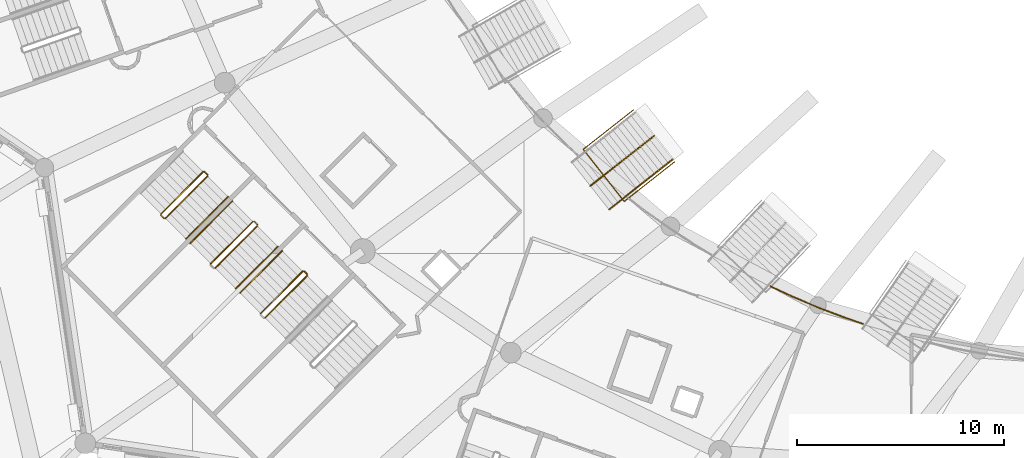
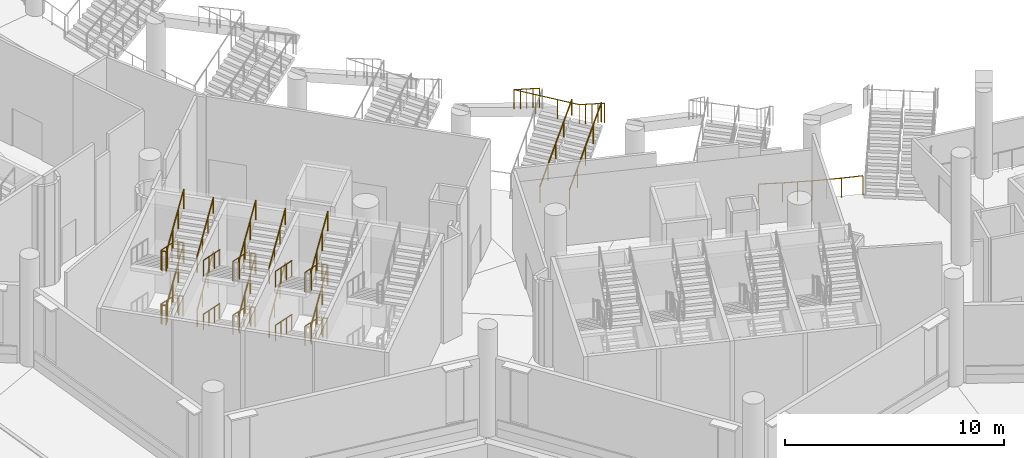
# One storey, part 113 of 173: 32 railings.
"""IFC4 building model written with IfcOpenShell, lengths in metres."""

from ifc_helpers import new_model, si_unit, direction, frame, origin, origin_2d, place, context, subcontext, project, spatial, circle, extrude, material, type_object, element, save


model = new_model("IFC4")

# Units and contexts
model_context = context("Model", 3, precision=1e-05, world=origin(), true_north=direction((0.0, 1.0)))
body_context = subcontext(model_context, "Body", "Model", "MODEL_VIEW")
ifc_project = project(units=[si_unit("LENGTHUNIT", "METRE"), si_unit("AREAUNIT", "SQUARE_METRE"), si_unit("VOLUMEUNIT", "CUBIC_METRE"), si_unit("PLANEANGLEUNIT", "RADIAN"), si_unit("MASSUNIT", "GRAM", prefix="KILO")], contexts=[model_context])

# Site, building, storey
site_placement = place(None, origin())
site = spatial("IfcSite", under=ifc_project, at=site_placement, CompositionType="ELEMENT")
building_placement = place(site_placement, origin())
building = spatial("IfcBuilding", under=site, at=building_placement, Name="Meseta Stadium", CompositionType="ELEMENT")
storey_placement = place(building_placement, frame((0.0, 0.0, 18.0)))
storey = spatial("IfcBuildingStorey", under=building, at=storey_placement, Name="L03", CompositionType="ELEMENT", Elevation=18.0)

# Railings
ifc_material_1 = material(Name="Steel S355", Category="steel")
railing_type_1 = type_object("IfcRailingType", Name="Plate edge guard 1100", PredefinedType="GUARDRAIL", material=ifc_material_1)
railing_1_placement = place(storey_placement, frame((-52.083251953125, -81.591796875, 0.0)))
element("IfcRailing", 1, at=railing_1_placement, inside=storey, type_object=railing_type_1, Name="L03 inner edge guard 43", PredefinedType="GUARDRAIL", context=body_context, shape_type="SweptSolid", body=[
    extrude(circle(Radius=0.02490234375, at=origin_2d()), frame((0.0, 0.0, 1.0751953125), z_axis=(0.906110366799, -0.423041372894, 0.0), x_axis=(0.423041372894, 0.906110366799, 0.0)), (0.0, 0.0, 1.0), 1.114501953125),
    extrude(circle(Radius=0.02490234375, at=origin_2d()), frame((1.009765625, -0.471435546875, 1.0751953125), z_axis=(0.920530635071, -0.390670385231, 0.0), x_axis=(0.390670385231, 0.920530635071, 0.0)), (0.0, 0.0, 1.0), 1.352294921875),
    extrude(circle(Radius=0.02490234375, at=origin_2d()), frame((2.254638671875, -0.999755859375, 1.0751953125), z_axis=(0.933888814038, -0.357563537033, 0.0), x_axis=(0.357563537033, 0.933888814038, 0.0)), (0.0, 0.0, 1.0), 1.3525390625),
    extrude(circle(Radius=0.02490234375, at=origin_2d()), frame((3.517822265625, -1.4833984375, 1.0751953125), z_axis=(0.945948078572, -0.324318104099, 0.0), x_axis=(0.324318104099, 0.945948078572, 0.0)), (0.0, 0.0, 1.0), 1.00341796875),
    extrude(circle(Radius=0.02001953125, at=origin_2d()), origin(), (0.0, 0.0, 1.0), 1.050048828125),
    extrude(circle(Radius=0.02001953125, at=origin_2d()), frame((1.009765625, -0.471435546875, 0.0)), (0.0, 0.0, 1.0), 1.050048828125),
    extrude(circle(Radius=0.02001953125, at=origin_2d()), frame((1.63232421875, -0.735595703125, 0.0)), (0.0, 0.0, 1.0), 1.050048828125),
    extrude(circle(Radius=0.02001953125, at=origin_2d()), frame((2.254638671875, -0.999755859375, 0.0)), (0.0, 0.0, 1.0), 1.050048828125),
    extrude(circle(Radius=0.02001953125, at=origin_2d()), frame((2.88623046875, -1.24169921875, 0.0)), (0.0, 0.0, 1.0), 1.050048828125),
    extrude(circle(Radius=0.02001953125, at=origin_2d()), frame((3.517822265625, -1.4833984375, 0.0)), (0.0, 0.0, 1.0), 1.050048828125),
    extrude(circle(Radius=0.02001953125, at=origin_2d()), frame((4.467041015625, -1.808837890625, 0.0)), (0.0, 0.0, 1.0), 1.050048828125),
])
ifc_material_2 = material(Name="Steel S355", Category="steel")
railing_type_2 = type_object("IfcRailingType", Name="Stair guard 1100", PredefinedType="GUARDRAIL", material=ifc_material_2)
railing_2_placement = place(storey_placement, frame((-79.4814453125, -76.056884765625, 0.14990234375)))
element("IfcRailing", 2, at=railing_2_placement, inside=storey, type_object=railing_type_2, Name="ST81 L03 guard 1", PredefinedType="GUARDRAIL", context=body_context, shape_type="SweptSolid", body=[
    extrude(circle(Radius=0.02392578125, at=origin_2d()), frame((0.0, 0.0, 1.076171875), z_axis=(-0.640287970486, -0.640211215754, 0.424453665402), x_axis=(0.707064395047, -0.707149164786, 0.0)), (0.0, 0.0, 1.0), 3.180908203125),
    extrude(circle(Radius=0.02099609375, at=origin_2d()), origin(), (0.0, 0.0, 1.0), 1.052001953125),
    extrude(circle(Radius=0.02099609375, at=origin_2d()), frame((-0.678955078125, -0.6787109375, 0.449951171875)), (0.0, 0.0, 1.0), 1.052001953125),
    extrude(circle(Radius=0.02099609375, at=origin_2d()), frame((-1.357666015625, -1.357666015625, 0.900146484375)), (0.0, 0.0, 1.0), 1.052001953125),
    extrude(circle(Radius=0.02099609375, at=origin_2d()), frame((-2.03662109375, -2.036376953125, 1.35009765625)), (0.0, 0.0, 1.0), 1.052001953125),
])
railing_3_placement = place(storey_placement, frame((-81.51806640625, -78.1640625, 1.5)))
element("IfcRailing", 3, at=railing_3_placement, inside=storey, type_object=railing_type_2, Name="ST81 L03 guard 2", PredefinedType="GUARDRAIL", context=body_context, shape_type="SweptSolid", body=[
    extrude(circle(Radius=0.02392578125, at=origin_2d()), frame((0.0, 0.0, 1.076171875), z_axis=(0.707716618519, -0.706496417452, 0.0), x_axis=(0.706496417452, 0.707716618519, 0.0)), (0.0, 0.0, 1.0), 0.2001953125),
    extrude(circle(Radius=0.02099609375, at=origin_2d()), origin(), (0.0, 0.0, 1.0), 1.052001953125),
    extrude(circle(Radius=0.02099609375, at=origin_2d()), frame((0.1416015625, -0.141357421875, 0.0)), (0.0, 0.0, 1.0), 1.052001953125),
])
railing_4_placement = place(storey_placement, frame((-81.305908203125, -78.305419921875, 1.64990234375)))
element("IfcRailing", 4, at=railing_4_placement, inside=storey, type_object=railing_type_2, Name="ST81 L03 guard 3", PredefinedType="GUARDRAIL", context=body_context, shape_type="SweptSolid", body=[
    extrude(circle(Radius=0.02392578125, at=origin_2d()), frame((0.0, 0.0, 1.076171875), z_axis=(0.640287970486, 0.640211215754, 0.424453665402), x_axis=(-0.707064395047, 0.707149164786, 0.0)), (0.0, 0.0, 1.0), 3.180908203125),
    extrude(circle(Radius=0.02099609375, at=origin_2d()), origin(), (0.0, 0.0, 1.0), 1.052001953125),
    extrude(circle(Radius=0.02099609375, at=origin_2d()), frame((0.678955078125, 0.6787109375, 0.449951171875)), (0.0, 0.0, 1.0), 1.052001953125),
    extrude(circle(Radius=0.02099609375, at=origin_2d()), frame((1.357666015625, 1.357666015625, 0.900146484375)), (0.0, 0.0, 1.0), 1.052001953125),
    extrude(circle(Radius=0.02099609375, at=origin_2d()), frame((2.03662109375, 2.036376953125, 1.35009765625)), (0.0, 0.0, 1.0), 1.052001953125),
])
railing_5_placement = place(storey_placement, frame((-79.410888671875, -76.056884765625, 3.0)))
element("IfcRailing", 5, at=railing_5_placement, inside=storey, type_object=railing_type_2, Name="ST81 L03 guard 4", PredefinedType="GUARDRAIL", context=body_context, shape_type="SweptSolid", body=[
    extrude(circle(Radius=0.02392578125, at=origin_2d()), frame((0.0, 0.0, 1.076171875), z_axis=(0.707716618519, -0.706496417452, 0.0), x_axis=(0.706496417452, 0.707716618519, 0.0)), (0.0, 0.0, 1.0), 0.2001953125),
    extrude(circle(Radius=0.02099609375, at=origin_2d()), origin(), (0.0, 0.0, 1.0), 1.052001953125),
    extrude(circle(Radius=0.02099609375, at=origin_2d()), frame((0.1416015625, -0.141357421875, 0.0)), (0.0, 0.0, 1.0), 1.052001953125),
])
railing_6_placement = place(storey_placement, frame((-79.4814453125, -76.056884765625, 3.14990234375)))
element("IfcRailing", 6, at=railing_6_placement, inside=storey, type_object=railing_type_2, Name="ST81 L03 guard 5", PredefinedType="GUARDRAIL", context=body_context, shape_type="SweptSolid", body=[
    extrude(circle(Radius=0.02392578125, at=origin_2d()), frame((0.0, 0.0, 1.076171875), z_axis=(-0.640287970486, -0.640211215754, 0.424453665402), x_axis=(0.707064395047, -0.707149164786, 0.0)), (0.0, 0.0, 1.0), 3.180908203125),
    extrude(circle(Radius=0.02099609375, at=origin_2d()), origin(), (0.0, 0.0, 1.0), 1.052001953125),
    extrude(circle(Radius=0.02099609375, at=origin_2d()), frame((-0.678955078125, -0.6787109375, 0.449951171875)), (0.0, 0.0, 1.0), 1.052001953125),
    extrude(circle(Radius=0.02099609375, at=origin_2d()), frame((-1.357666015625, -1.357666015625, 0.900146484375)), (0.0, 0.0, 1.0), 1.052001953125),
    extrude(circle(Radius=0.02099609375, at=origin_2d()), frame((-2.03662109375, -2.036376953125, 1.35009765625)), (0.0, 0.0, 1.0), 1.052001953125),
])
railing_7_placement = place(storey_placement, frame((-81.51806640625, -78.1640625, 4.5)))
element("IfcRailing", 7, at=railing_7_placement, inside=storey, type_object=railing_type_2, Name="ST81 L03 guard 6", PredefinedType="GUARDRAIL", context=body_context, shape_type="SweptSolid", body=[
    extrude(circle(Radius=0.02392578125, at=origin_2d()), frame((0.0, 0.0, 1.076171875), z_axis=(0.707716618519, -0.706496417452, 0.0), x_axis=(0.706496417452, 0.707716618519, 0.0)), (0.0, 0.0, 1.0), 0.2001953125),
    extrude(circle(Radius=0.02099609375, at=origin_2d()), origin(), (0.0, 0.0, 1.0), 1.052001953125),
    extrude(circle(Radius=0.02099609375, at=origin_2d()), frame((0.1416015625, -0.141357421875, 0.0)), (0.0, 0.0, 1.0), 1.052001953125),
])
railing_8_placement = place(storey_placement, frame((-81.305908203125, -78.305419921875, 4.64990234375)))
element("IfcRailing", 8, at=railing_8_placement, inside=storey, type_object=railing_type_2, Name="ST81 L03 guard 7", PredefinedType="GUARDRAIL", context=body_context, shape_type="SweptSolid", body=[
    extrude(circle(Radius=0.02392578125, at=origin_2d()), frame((0.0, 0.0, 1.076171875), z_axis=(0.640287970486, 0.640211215754, 0.424453665402), x_axis=(-0.707064395047, 0.707149164786, 0.0)), (0.0, 0.0, 1.0), 3.180908203125),
    extrude(circle(Radius=0.02099609375, at=origin_2d()), origin(), (0.0, 0.0, 1.0), 1.052001953125),
    extrude(circle(Radius=0.02099609375, at=origin_2d()), frame((0.678955078125, 0.6787109375, 0.449951171875)), (0.0, 0.0, 1.0), 1.052001953125),
    extrude(circle(Radius=0.02099609375, at=origin_2d()), frame((1.357666015625, 1.357666015625, 0.900146484375)), (0.0, 0.0, 1.0), 1.052001953125),
    extrude(circle(Radius=0.02099609375, at=origin_2d()), frame((2.03662109375, 2.036376953125, 1.35009765625)), (0.0, 0.0, 1.0), 1.052001953125),
])
railing_9_placement = place(storey_placement, frame((-79.410888671875, -76.056884765625, 0.0)))
element("IfcRailing", 9, at=railing_9_placement, inside=storey, type_object=railing_type_2, Name="ST81 L03 guard 8", PredefinedType="GUARDRAIL", context=body_context, shape_type="SweptSolid", body=[
    extrude(circle(Radius=0.02392578125, at=origin_2d()), frame((0.0, 0.0, 1.076171875), z_axis=(0.707716618519, -0.706496417452, 0.0), x_axis=(0.706496417452, 0.707716618519, 0.0)), (0.0, 0.0, 1.0), 0.2001953125),
    extrude(circle(Radius=0.02099609375, at=origin_2d()), origin(), (0.0, 0.0, 1.0), 1.052001953125),
    extrude(circle(Radius=0.02099609375, at=origin_2d()), frame((0.1416015625, -0.141357421875, 0.0)), (0.0, 0.0, 1.0), 1.052001953125),
])
railing_10_placement = place(storey_placement, frame((-77.077392578125, -78.4609375, 0.14990234375)))
element("IfcRailing", 10, at=railing_10_placement, inside=storey, type_object=railing_type_2, Name="ST82 L03 guard 1", PredefinedType="GUARDRAIL", context=body_context, shape_type="SweptSolid", body=[
    extrude(circle(Radius=0.02392578125, at=origin_2d()), frame((0.0, 0.0, 1.076171875), z_axis=(-0.640211215754, -0.640287970486, 0.424453665402), x_axis=(0.707149164786, -0.707064395047, 0.0)), (0.0, 0.0, 1.0), 3.180908203125),
    extrude(circle(Radius=0.02099609375, at=origin_2d()), origin(), (0.0, 0.0, 1.0), 1.052001953125),
    extrude(circle(Radius=0.02099609375, at=origin_2d()), frame((-0.6787109375, -0.678955078125, 0.449951171875)), (0.0, 0.0, 1.0), 1.052001953125),
    extrude(circle(Radius=0.02099609375, at=origin_2d()), frame((-1.357666015625, -1.357666015625, 0.900146484375)), (0.0, 0.0, 1.0), 1.052001953125),
    extrude(circle(Radius=0.02099609375, at=origin_2d()), frame((-2.036376953125, -2.03662109375, 1.35009765625)), (0.0, 0.0, 1.0), 1.052001953125),
])
railing_11_placement = place(storey_placement, frame((-78.901611328125, -80.709716796875, 1.64990234375)))
element("IfcRailing", 11, at=railing_11_placement, inside=storey, type_object=railing_type_2, Name="ST82 L03 guard 3", PredefinedType="GUARDRAIL", context=body_context, shape_type="SweptSolid", body=[
    extrude(circle(Radius=0.02392578125, at=origin_2d()), frame((0.0, 0.0, 1.076171875), z_axis=(0.640211215754, 0.640287970486, 0.424453665402), x_axis=(-0.707149164786, 0.707064395047, 0.0)), (0.0, 0.0, 1.0), 3.180908203125),
    extrude(circle(Radius=0.02099609375, at=origin_2d()), origin(), (0.0, 0.0, 1.0), 1.052001953125),
    extrude(circle(Radius=0.02099609375, at=origin_2d()), frame((0.6787109375, 0.678955078125, 0.449951171875)), (0.0, 0.0, 1.0), 1.052001953125),
    extrude(circle(Radius=0.02099609375, at=origin_2d()), frame((1.357666015625, 1.357666015625, 0.900146484375)), (0.0, 0.0, 1.0), 1.052001953125),
    extrude(circle(Radius=0.02099609375, at=origin_2d()), frame((2.036376953125, 2.03662109375, 1.35009765625)), (0.0, 0.0, 1.0), 1.052001953125),
])
railing_12_placement = place(storey_placement, frame((-77.006591796875, -78.4609375, 3.0)))
element("IfcRailing", 12, at=railing_12_placement, inside=storey, type_object=railing_type_2, Name="ST82 L03 guard 4", PredefinedType="GUARDRAIL", context=body_context, shape_type="SweptSolid", body=[
    extrude(circle(Radius=0.02392578125, at=origin_2d()), frame((0.0, 0.0, 1.076171875), z_axis=(0.706496417452, -0.707716618519, 0.0), x_axis=(0.707716618519, 0.706496417452, 0.0)), (0.0, 0.0, 1.0), 0.2001953125),
    extrude(circle(Radius=0.02099609375, at=origin_2d()), origin(), (0.0, 0.0, 1.0), 1.052001953125),
    extrude(circle(Radius=0.02099609375, at=origin_2d()), frame((0.141357421875, -0.1416015625, 0.0)), (0.0, 0.0, 1.0), 1.052001953125),
])
railing_13_placement = place(storey_placement, frame((-77.077392578125, -78.4609375, 3.14990234375)))
element("IfcRailing", 13, at=railing_13_placement, inside=storey, type_object=railing_type_2, Name="ST82 L03 guard 5", PredefinedType="GUARDRAIL", context=body_context, shape_type="SweptSolid", body=[
    extrude(circle(Radius=0.02392578125, at=origin_2d()), frame((0.0, 0.0, 1.076171875), z_axis=(-0.640211215754, -0.640287970486, 0.424453665402), x_axis=(0.707149164786, -0.707064395047, 0.0)), (0.0, 0.0, 1.0), 3.180908203125),
    extrude(circle(Radius=0.02099609375, at=origin_2d()), origin(), (0.0, 0.0, 1.0), 1.052001953125),
    extrude(circle(Radius=0.02099609375, at=origin_2d()), frame((-0.6787109375, -0.678955078125, 0.449951171875)), (0.0, 0.0, 1.0), 1.052001953125),
    extrude(circle(Radius=0.02099609375, at=origin_2d()), frame((-1.357666015625, -1.357666015625, 0.900146484375)), (0.0, 0.0, 1.0), 1.052001953125),
    extrude(circle(Radius=0.02099609375, at=origin_2d()), frame((-2.036376953125, -2.03662109375, 1.35009765625)), (0.0, 0.0, 1.0), 1.052001953125),
])
railing_14_placement = place(storey_placement, frame((-78.901611328125, -80.709716796875, 4.64990234375)))
element("IfcRailing", 14, at=railing_14_placement, inside=storey, type_object=railing_type_2, Name="ST82 L03 guard 7", PredefinedType="GUARDRAIL", context=body_context, shape_type="SweptSolid", body=[
    extrude(circle(Radius=0.02392578125, at=origin_2d()), frame((0.0, 0.0, 1.076171875), z_axis=(0.640211215754, 0.640287970486, 0.424453665402), x_axis=(-0.707149164786, 0.707064395047, 0.0)), (0.0, 0.0, 1.0), 3.180908203125),
    extrude(circle(Radius=0.02099609375, at=origin_2d()), origin(), (0.0, 0.0, 1.0), 1.052001953125),
    extrude(circle(Radius=0.02099609375, at=origin_2d()), frame((0.6787109375, 0.678955078125, 0.449951171875)), (0.0, 0.0, 1.0), 1.052001953125),
    extrude(circle(Radius=0.02099609375, at=origin_2d()), frame((1.357666015625, 1.357666015625, 0.900146484375)), (0.0, 0.0, 1.0), 1.052001953125),
    extrude(circle(Radius=0.02099609375, at=origin_2d()), frame((2.036376953125, 2.03662109375, 1.35009765625)), (0.0, 0.0, 1.0), 1.052001953125),
])
railing_15_placement = place(storey_placement, frame((-77.006591796875, -78.4609375, 0.0)))
element("IfcRailing", 15, at=railing_15_placement, inside=storey, type_object=railing_type_2, Name="ST82 L03 guard 8", PredefinedType="GUARDRAIL", context=body_context, shape_type="SweptSolid", body=[
    extrude(circle(Radius=0.02392578125, at=origin_2d()), frame((0.0, 0.0, 1.076171875), z_axis=(0.706496417452, -0.707716618519, 0.0), x_axis=(0.707716618519, 0.706496417452, 0.0)), (0.0, 0.0, 1.0), 0.2001953125),
    extrude(circle(Radius=0.02099609375, at=origin_2d()), origin(), (0.0, 0.0, 1.0), 1.052001953125),
    extrude(circle(Radius=0.02099609375, at=origin_2d()), frame((0.141357421875, -0.1416015625, 0.0)), (0.0, 0.0, 1.0), 1.052001953125),
])
railing_16_placement = place(storey_placement, frame((-74.673095703125, -80.865234375, 0.14990234375)))
element("IfcRailing", 16, at=railing_16_placement, inside=storey, type_object=railing_type_2, Name="ST83 L03 guard 1", PredefinedType="GUARDRAIL", context=body_context, shape_type="SweptSolid", body=[
    extrude(circle(Radius=0.02392578125, at=origin_2d()), frame((0.0, 0.0, 1.076171875), z_axis=(-0.640287970486, -0.640211215754, 0.424453665402), x_axis=(0.707064395047, -0.707149164786, 0.0)), (0.0, 0.0, 1.0), 3.180908203125),
    extrude(circle(Radius=0.02099609375, at=origin_2d()), origin(), (0.0, 0.0, 1.0), 1.052001953125),
    extrude(circle(Radius=0.02099609375, at=origin_2d()), frame((-0.678955078125, -0.6787109375, 0.449951171875)), (0.0, 0.0, 1.0), 1.052001953125),
    extrude(circle(Radius=0.02099609375, at=origin_2d()), frame((-1.357666015625, -1.357666015625, 0.900146484375)), (0.0, 0.0, 1.0), 1.052001953125),
    extrude(circle(Radius=0.02099609375, at=origin_2d()), frame((-2.03662109375, -2.036376953125, 1.35009765625)), (0.0, 0.0, 1.0), 1.052001953125),
])
railing_17_placement = place(storey_placement, frame((-76.49755859375, -83.11376953125, 1.64990234375)))
element("IfcRailing", 17, at=railing_17_placement, inside=storey, type_object=railing_type_2, Name="ST83 L03 guard 3", PredefinedType="GUARDRAIL", context=body_context, shape_type="SweptSolid", body=[
    extrude(circle(Radius=0.02392578125, at=origin_2d()), frame((0.0, 0.0, 1.076171875), z_axis=(0.640287970486, 0.640211215754, 0.424453665402), x_axis=(-0.707064395047, 0.707149164786, 0.0)), (0.0, 0.0, 1.0), 3.180908203125),
    extrude(circle(Radius=0.02099609375, at=origin_2d()), origin(), (0.0, 0.0, 1.0), 1.052001953125),
    extrude(circle(Radius=0.02099609375, at=origin_2d()), frame((0.678955078125, 0.6787109375, 0.449951171875)), (0.0, 0.0, 1.0), 1.052001953125),
    extrude(circle(Radius=0.02099609375, at=origin_2d()), frame((1.357666015625, 1.357666015625, 0.900146484375)), (0.0, 0.0, 1.0), 1.052001953125),
    extrude(circle(Radius=0.02099609375, at=origin_2d()), frame((2.03662109375, 2.036376953125, 1.35009765625)), (0.0, 0.0, 1.0), 1.052001953125),
])
railing_18_placement = place(storey_placement, frame((-74.6025390625, -80.865234375, 3.0)))
element("IfcRailing", 18, at=railing_18_placement, inside=storey, type_object=railing_type_2, Name="ST83 L03 guard 4", PredefinedType="GUARDRAIL", context=body_context, shape_type="SweptSolid", body=[
    extrude(circle(Radius=0.02392578125, at=origin_2d()), frame((0.0, 0.0, 1.076171875), z_axis=(0.707716618519, -0.706496417452, 0.0), x_axis=(0.706496417452, 0.707716618519, 0.0)), (0.0, 0.0, 1.0), 0.2001953125),
    extrude(circle(Radius=0.02099609375, at=origin_2d()), origin(), (0.0, 0.0, 1.0), 1.052001953125),
    extrude(circle(Radius=0.02099609375, at=origin_2d()), frame((0.1416015625, -0.141357421875, 0.0)), (0.0, 0.0, 1.0), 1.052001953125),
])
railing_19_placement = place(storey_placement, frame((-74.673095703125, -80.865234375, 3.14990234375)))
element("IfcRailing", 19, at=railing_19_placement, inside=storey, type_object=railing_type_2, Name="ST83 L03 guard 5", PredefinedType="GUARDRAIL", context=body_context, shape_type="SweptSolid", body=[
    extrude(circle(Radius=0.02392578125, at=origin_2d()), frame((0.0, 0.0, 1.076171875), z_axis=(-0.640287970486, -0.640211215754, 0.424453665402), x_axis=(0.707064395047, -0.707149164786, 0.0)), (0.0, 0.0, 1.0), 3.180908203125),
    extrude(circle(Radius=0.02099609375, at=origin_2d()), origin(), (0.0, 0.0, 1.0), 1.052001953125),
    extrude(circle(Radius=0.02099609375, at=origin_2d()), frame((-0.678955078125, -0.6787109375, 0.449951171875)), (0.0, 0.0, 1.0), 1.052001953125),
    extrude(circle(Radius=0.02099609375, at=origin_2d()), frame((-1.357666015625, -1.357666015625, 0.900146484375)), (0.0, 0.0, 1.0), 1.052001953125),
    extrude(circle(Radius=0.02099609375, at=origin_2d()), frame((-2.03662109375, -2.036376953125, 1.35009765625)), (0.0, 0.0, 1.0), 1.052001953125),
])
railing_20_placement = place(storey_placement, frame((-76.49755859375, -83.11376953125, 4.64990234375)))
element("IfcRailing", 20, at=railing_20_placement, inside=storey, type_object=railing_type_2, Name="ST83 L03 guard 7", PredefinedType="GUARDRAIL", context=body_context, shape_type="SweptSolid", body=[
    extrude(circle(Radius=0.02392578125, at=origin_2d()), frame((0.0, 0.0, 1.076171875), z_axis=(0.640287970486, 0.640211215754, 0.424453665402), x_axis=(-0.707064395047, 0.707149164786, 0.0)), (0.0, 0.0, 1.0), 3.180908203125),
    extrude(circle(Radius=0.02099609375, at=origin_2d()), origin(), (0.0, 0.0, 1.0), 1.052001953125),
    extrude(circle(Radius=0.02099609375, at=origin_2d()), frame((0.678955078125, 0.6787109375, 0.449951171875)), (0.0, 0.0, 1.0), 1.052001953125),
    extrude(circle(Radius=0.02099609375, at=origin_2d()), frame((1.357666015625, 1.357666015625, 0.900146484375)), (0.0, 0.0, 1.0), 1.052001953125),
    extrude(circle(Radius=0.02099609375, at=origin_2d()), frame((2.03662109375, 2.036376953125, 1.35009765625)), (0.0, 0.0, 1.0), 1.052001953125),
])
railing_21_placement = place(storey_placement, frame((-74.6025390625, -80.865234375, 0.0)))
element("IfcRailing", 21, at=railing_21_placement, inside=storey, type_object=railing_type_2, Name="ST83 L03 guard 8", PredefinedType="GUARDRAIL", context=body_context, shape_type="SweptSolid", body=[
    extrude(circle(Radius=0.02392578125, at=origin_2d()), frame((0.0, 0.0, 1.076171875), z_axis=(0.707716618519, -0.706496417452, 0.0), x_axis=(0.706496417452, 0.707716618519, 0.0)), (0.0, 0.0, 1.0), 0.2001953125),
    extrude(circle(Radius=0.02099609375, at=origin_2d()), origin(), (0.0, 0.0, 1.0), 1.052001953125),
    extrude(circle(Radius=0.02099609375, at=origin_2d()), frame((0.1416015625, -0.141357421875, 0.0)), (0.0, 0.0, 1.0), 1.052001953125),
])
ifc_material_3 = material(Name="Steel S355", Category="steel")
railing_type_3 = type_object("IfcRailingType", Name="Stair handrail 900", PredefinedType="HANDRAIL", material=ifc_material_3)
for number, where, name in (
    (22, (-80.31591796875, -79.29541015625, 1.64990234375), "ST81 L03 handrail 2"),
    (23, (-80.31591796875, -79.29541015625, 4.64990234375), "ST81 L03 handrail 4"),
):
    element("IfcRailing", number, at=place(storey_placement, frame(where)), inside=storey, type_object=railing_type_3, Name=name, PredefinedType="HANDRAIL", context=body_context, shape_type="SweptSolid", body=[
        extrude(circle(Radius=0.02392578125, at=origin_2d()), frame((0.0, 0.0, 0.8759765625), z_axis=(0.640242679452, 0.640242679452, 0.424474525521), x_axis=(-0.707106781187, 0.707106781187, 0.0)), (0.0, 0.0, 1.0), 3.1806640625),
        extrude(circle(Radius=0.02099609375, at=origin_2d()), origin(), (0.0, 0.0, 1.0), 0.851806640625),
        extrude(circle(Radius=0.02099609375, at=origin_2d()), frame((0.6787109375, 0.6787109375, 0.449951171875)), (0.0, 0.0, 1.0), 0.851806640625),
        extrude(circle(Radius=0.02099609375, at=origin_2d()), frame((1.357666015625, 1.357666015625, 0.900146484375)), (0.0, 0.0, 1.0), 0.851806640625),
        extrude(circle(Radius=0.02099609375, at=origin_2d()), frame((2.036376953125, 2.036376953125, 1.35009765625)), (0.0, 0.0, 1.0), 0.851806640625),
    ])
railing_22_placement = place(storey_placement, frame((-78.0673828125, -77.47119140625, 0.14990234375)))
element("IfcRailing", 24, at=railing_22_placement, inside=storey, type_object=railing_type_3, Name="ST82 L03 handrail 1", PredefinedType="HANDRAIL", context=body_context, shape_type="SweptSolid", body=[
    extrude(circle(Radius=0.02392578125, at=origin_2d()), frame((0.0, 0.0, 0.8759765625), z_axis=(-0.640242679452, -0.640242679452, 0.424474525521), x_axis=(0.707106781187, -0.707106781187, 0.0)), (0.0, 0.0, 1.0), 3.1806640625),
    extrude(circle(Radius=0.02099609375, at=origin_2d()), origin(), (0.0, 0.0, 1.0), 0.851806640625),
    extrude(circle(Radius=0.02099609375, at=origin_2d()), frame((-0.6787109375, -0.6787109375, 0.449951171875)), (0.0, 0.0, 1.0), 0.851806640625),
    extrude(circle(Radius=0.02099609375, at=origin_2d()), frame((-1.357666015625, -1.357666015625, 0.900146484375)), (0.0, 0.0, 1.0), 0.851806640625),
    extrude(circle(Radius=0.02099609375, at=origin_2d()), frame((-2.036376953125, -2.036376953125, 1.35009765625)), (0.0, 0.0, 1.0), 0.851806640625),
])
railing_23_placement = place(storey_placement, frame((-77.91162109375, -81.69970703125, 1.64990234375)))
element("IfcRailing", 25, at=railing_23_placement, inside=storey, type_object=railing_type_3, Name="ST82 L03 handrail 2", PredefinedType="HANDRAIL", context=body_context, shape_type="SweptSolid", body=[
    extrude(circle(Radius=0.02392578125, at=origin_2d()), frame((0.0, 0.0, 0.8759765625), z_axis=(0.640211215754, 0.640287970486, 0.424453665402), x_axis=(-0.707149164786, 0.707064395047, 0.0)), (0.0, 0.0, 1.0), 3.180908203125),
    extrude(circle(Radius=0.02099609375, at=origin_2d()), origin(), (0.0, 0.0, 1.0), 0.851806640625),
    extrude(circle(Radius=0.02099609375, at=origin_2d()), frame((0.6787109375, 0.678955078125, 0.449951171875)), (0.0, 0.0, 1.0), 0.851806640625),
    extrude(circle(Radius=0.02099609375, at=origin_2d()), frame((1.357666015625, 1.357666015625, 0.900146484375)), (0.0, 0.0, 1.0), 0.851806640625),
    extrude(circle(Radius=0.02099609375, at=origin_2d()), frame((2.036376953125, 2.03662109375, 1.35009765625)), (0.0, 0.0, 1.0), 0.851806640625),
])
railing_24_placement = place(storey_placement, frame((-78.0673828125, -77.47119140625, 3.14990234375)))
element("IfcRailing", 26, at=railing_24_placement, inside=storey, type_object=railing_type_3, Name="ST82 L03 handrail 3", PredefinedType="HANDRAIL", context=body_context, shape_type="SweptSolid", body=[
    extrude(circle(Radius=0.02392578125, at=origin_2d()), frame((0.0, 0.0, 0.8759765625), z_axis=(-0.640242679452, -0.640242679452, 0.424474525521), x_axis=(0.707106781187, -0.707106781187, 0.0)), (0.0, 0.0, 1.0), 3.1806640625),
    extrude(circle(Radius=0.02099609375, at=origin_2d()), origin(), (0.0, 0.0, 1.0), 0.851806640625),
    extrude(circle(Radius=0.02099609375, at=origin_2d()), frame((-0.6787109375, -0.6787109375, 0.449951171875)), (0.0, 0.0, 1.0), 0.851806640625),
    extrude(circle(Radius=0.02099609375, at=origin_2d()), frame((-1.357666015625, -1.357666015625, 0.900146484375)), (0.0, 0.0, 1.0), 0.851806640625),
    extrude(circle(Radius=0.02099609375, at=origin_2d()), frame((-2.036376953125, -2.036376953125, 1.35009765625)), (0.0, 0.0, 1.0), 0.851806640625),
])
railing_25_placement = place(storey_placement, frame((-77.91162109375, -81.69970703125, 4.64990234375)))
element("IfcRailing", 27, at=railing_25_placement, inside=storey, type_object=railing_type_3, Name="ST82 L03 handrail 4", PredefinedType="HANDRAIL", context=body_context, shape_type="SweptSolid", body=[
    extrude(circle(Radius=0.02392578125, at=origin_2d()), frame((0.0, 0.0, 0.8759765625), z_axis=(0.640211215754, 0.640287970486, 0.424453665402), x_axis=(-0.707149164786, 0.707064395047, 0.0)), (0.0, 0.0, 1.0), 3.180908203125),
    extrude(circle(Radius=0.02099609375, at=origin_2d()), origin(), (0.0, 0.0, 1.0), 0.851806640625),
    extrude(circle(Radius=0.02099609375, at=origin_2d()), frame((0.6787109375, 0.678955078125, 0.449951171875)), (0.0, 0.0, 1.0), 0.851806640625),
    extrude(circle(Radius=0.02099609375, at=origin_2d()), frame((1.357666015625, 1.357666015625, 0.900146484375)), (0.0, 0.0, 1.0), 0.851806640625),
    extrude(circle(Radius=0.02099609375, at=origin_2d()), frame((2.036376953125, 2.03662109375, 1.35009765625)), (0.0, 0.0, 1.0), 0.851806640625),
])
for number, where, name in (
    (28, (-75.6630859375, -79.875244140625, 0.14990234375), "ST83 L03 handrail 1"),
    (29, (-75.6630859375, -79.875244140625, 3.14990234375), "ST83 L03 handrail 3"),
):
    element("IfcRailing", number, at=place(storey_placement, frame(where)), inside=storey, type_object=railing_type_3, Name=name, PredefinedType="HANDRAIL", context=body_context, shape_type="SweptSolid", body=[
        extrude(circle(Radius=0.02392578125, at=origin_2d()), frame((0.0, 0.0, 0.8759765625), z_axis=(-0.640287970486, -0.640211215754, 0.424453665402), x_axis=(0.707064395047, -0.707149164786, 0.0)), (0.0, 0.0, 1.0), 3.180908203125),
        extrude(circle(Radius=0.02099609375, at=origin_2d()), origin(), (0.0, 0.0, 1.0), 0.851806640625),
        extrude(circle(Radius=0.02099609375, at=origin_2d()), frame((-0.678955078125, -0.6787109375, 0.449951171875)), (0.0, 0.0, 1.0), 0.851806640625),
        extrude(circle(Radius=0.02099609375, at=origin_2d()), frame((-1.357666015625, -1.357666015625, 0.900146484375)), (0.0, 0.0, 1.0), 0.851806640625),
        extrude(circle(Radius=0.02099609375, at=origin_2d()), frame((-2.03662109375, -2.036376953125, 1.35009765625)), (0.0, 0.0, 1.0), 0.851806640625),
    ])
ifc_material_4 = material(Name="Steel S355", Category="steel")
railing_type_4 = type_object("IfcRailingType", Name="Vomitory slot guard 1100", PredefinedType="GUARDRAIL", material=ifc_material_4)
railing_26_placement = place(storey_placement, frame((-56.71240234375, -75.574462890625, 2.47412109375)))
element("IfcRailing", 30, at=railing_26_placement, inside=storey, type_object=railing_type_4, Name="Vomitory V-upper-41 slot guard", PredefinedType="GUARDRAIL", context=body_context, shape_type="SweptSolid", body=[
    extrude(circle(Radius=0.02490234375, at=origin_2d()), frame((0.0, 0.0, 1.0751953125), z_axis=(-0.666659083967, -0.524070710468, 0.530014675452), x_axis=(0.618016316891, -0.786165270193, 0.0)), (0.0, 0.0, 1.0), 3.655517578125),
    extrude(circle(Radius=0.02490234375, at=origin_2d()), frame((-2.43701171875, -1.915771484375, 3.0126953125), z_axis=(-0.618057385598, 0.78613298373, 0.0), x_axis=(-0.78613298373, -0.618057385598, 0.0)), (0.0, 0.0, 1.0), 3.199951171875),
    extrude(circle(Radius=0.02490234375, at=origin_2d()), frame((-4.414794921875, 0.599853515625, 3.0126953125), z_axis=(0.666635750203, 0.524119151232, -0.529996124385), x_axis=(-0.618064990358, 0.786127004811, 0.0)), (0.0, 0.0, 1.0), 3.65576171875),
    extrude(circle(Radius=0.02001953125, at=origin_2d()), origin(), (0.0, 0.0, 1.0), 1.050048828125),
    extrude(circle(Radius=0.02001953125, at=origin_2d()), frame((-0.609375, -0.47900390625, 0.484375)), (0.0, 0.0, 1.0), 1.050048828125),
    extrude(circle(Radius=0.02001953125, at=origin_2d()), frame((-1.218505859375, -0.9580078125, 0.96875)), (0.0, 0.0, 1.0), 1.050048828125),
    extrude(circle(Radius=0.02001953125, at=origin_2d()), frame((-1.82763671875, -1.436767578125, 1.453125)), (0.0, 0.0, 1.0), 1.050048828125),
    extrude(circle(Radius=0.02001953125, at=origin_2d()), frame((-2.43701171875, -1.915771484375, 1.9375)), (0.0, 0.0, 1.0), 1.050048828125),
    extrude(circle(Radius=0.02001953125, at=origin_2d()), frame((-3.09619140625, -1.0771484375, 1.9375)), (0.0, 0.0, 1.0), 1.050048828125),
    extrude(circle(Radius=0.02001953125, at=origin_2d()), frame((-3.755615234375, -0.23876953125, 1.9375)), (0.0, 0.0, 1.0), 1.050048828125),
    extrude(circle(Radius=0.02001953125, at=origin_2d()), frame((-4.414794921875, 0.599853515625, 1.9375)), (0.0, 0.0, 1.0), 1.050048828125),
    extrude(circle(Radius=0.02001953125, at=origin_2d()), frame((-3.8056640625, 1.078857421875, 1.453125)), (0.0, 0.0, 1.0), 1.050048828125),
    extrude(circle(Radius=0.02001953125, at=origin_2d()), frame((-3.1962890625, 1.557861328125, 0.96875)), (0.0, 0.0, 1.0), 1.050048828125),
    extrude(circle(Radius=0.02001953125, at=origin_2d()), frame((-2.5869140625, 2.036865234375, 0.484375)), (0.0, 0.0, 1.0), 1.050048828125),
    extrude(circle(Radius=0.02001953125, at=origin_2d()), frame((-1.977783203125, 2.515869140625, 0.0)), (0.0, 0.0, 1.0), 1.050048828125),
])
ifc_material_5 = material(Name="Steel S355", Category="steel")
railing_type_5 = type_object("IfcRailingType", Name="Vomitory stair guard 1100", PredefinedType="GUARDRAIL", material=ifc_material_5)
railing_27_placement = place(storey_placement, frame((-59.88671875, -77.879150390625, 0.164794921875)))
element("IfcRailing", 31, at=railing_27_placement, inside=storey, type_object=railing_type_5, Name="Vomitory V-upper-41 guard right", PredefinedType="GUARDRAIL", context=body_context, shape_type="SweptSolid", body=[
    extrude(circle(Radius=0.02490234375, at=origin_2d()), frame((0.0, 0.0, 1.0751953125), z_axis=(0.677317744059, 0.532538527337, 0.507585845433), x_axis=(-0.618080074529, 0.786115145173, 0.0)), (0.0, 0.0, 1.0), 4.549560546875),
    extrude(circle(Radius=0.02001953125, at=origin_2d()), origin(), (0.0, 0.0, 1.0), 1.050048828125),
    extrude(circle(Radius=0.02001953125, at=origin_2d()), frame((0.7705078125, 0.605712890625, 0.577392578125)), (0.0, 0.0, 1.0), 1.050048828125),
    extrude(circle(Radius=0.02001953125, at=origin_2d()), frame((1.540771484375, 1.21142578125, 1.15478515625)), (0.0, 0.0, 1.0), 1.050048828125),
    extrude(circle(Radius=0.02001953125, at=origin_2d()), frame((2.31103515625, 1.817138671875, 1.73193359375)), (0.0, 0.0, 1.0), 1.050048828125),
    extrude(circle(Radius=0.02001953125, at=origin_2d()), frame((3.08154296875, 2.4228515625, 2.309326171875)), (0.0, 0.0, 1.0), 1.050048828125),
])
ifc_material_6 = material(Name="Steel S355", Category="steel")
railing_type_6 = type_object("IfcRailingType", Name="Vomitory stair handrail 900", PredefinedType="HANDRAIL", material=ifc_material_6)
railing_28_placement = place(storey_placement, frame((-60.782958984375, -76.7392578125, 0.164794921875)))
element("IfcRailing", 32, at=railing_28_placement, inside=storey, type_object=railing_type_6, Name="Vomitory V-upper-41 central handrail", PredefinedType="HANDRAIL", context=body_context, shape_type="SweptSolid", body=[
    extrude(circle(Radius=0.02490234375, at=origin_2d()), frame((0.0, 0.0, 0.875), z_axis=(0.677317744059, 0.532538527337, 0.507585845433), x_axis=(-0.618080074529, 0.786115145173, 0.0)), (0.0, 0.0, 1.0), 4.549560546875),
    extrude(circle(Radius=0.02001953125, at=origin_2d()), origin(), (0.0, 0.0, 1.0), 0.849853515625),
    extrude(circle(Radius=0.02001953125, at=origin_2d()), frame((0.7705078125, 0.605712890625, 0.577392578125)), (0.0, 0.0, 1.0), 0.849853515625),
    extrude(circle(Radius=0.02001953125, at=origin_2d()), frame((1.540771484375, 1.21142578125, 1.15478515625)), (0.0, 0.0, 1.0), 0.849853515625),
    extrude(circle(Radius=0.02001953125, at=origin_2d()), frame((2.31103515625, 1.817138671875, 1.73193359375)), (0.0, 0.0, 1.0), 0.849853515625),
    extrude(circle(Radius=0.02001953125, at=origin_2d()), frame((3.08154296875, 2.4228515625, 2.309326171875)), (0.0, 0.0, 1.0), 0.849853515625),
])

save(model, "model.ifc")
